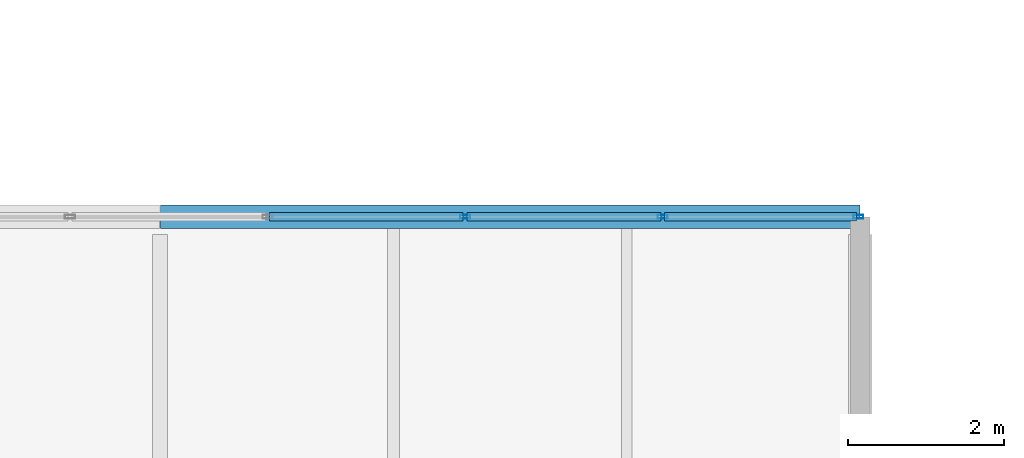
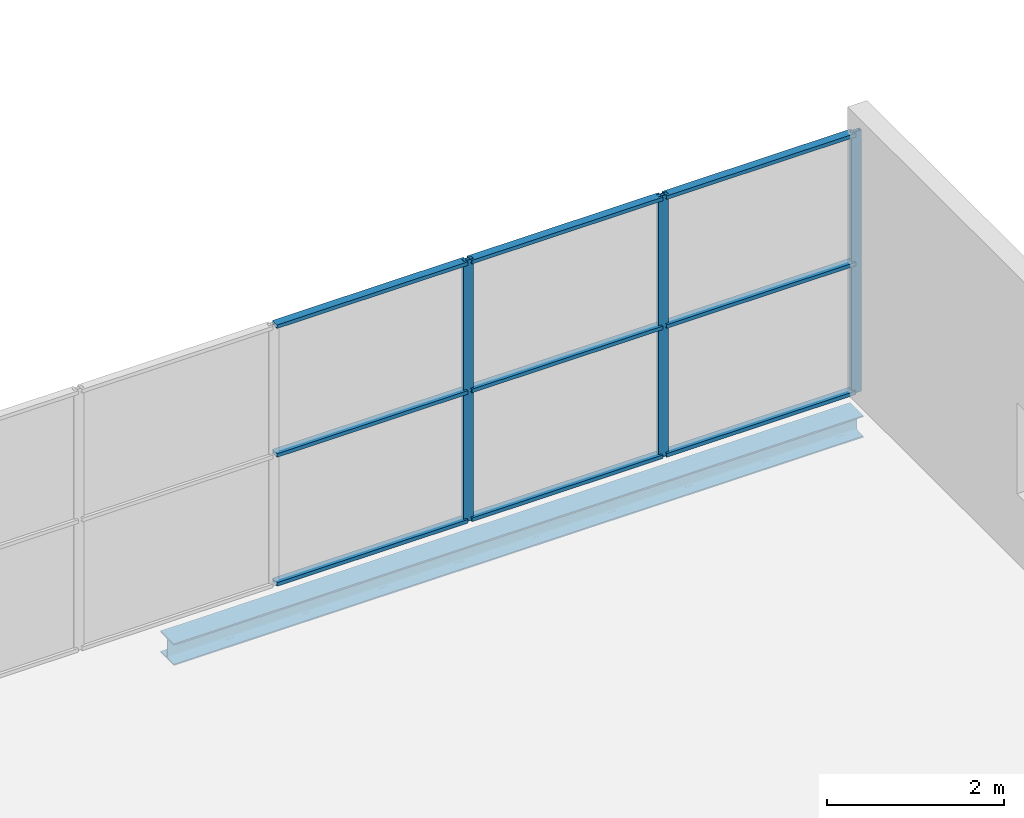
# One storey, part 47 of 59: 12 members, 1 beam, 1 element without a shape of its own.
"""IFC4 building model written with IfcOpenShell, lengths in metres."""

from ifc_helpers import new_model, si_unit, direction, frame, origin, origin_2d, place, context, subcontext, project, spatial, hollow_rectangle, i_section, extrude, material, layer, layer_set, material_profile, profile_set, type_object, element, aggregate, save


model = new_model("IFC4")

# Units and contexts
model_context = context("Model", 3, precision=1e-05, world=origin(), true_north=direction((0.0, 1.0)))
body_context = subcontext(model_context, "Body", "Model", "MODEL_VIEW")
ifc_project = project(units=[si_unit("LENGTHUNIT", "METRE"), si_unit("AREAUNIT", "SQUARE_METRE"), si_unit("VOLUMEUNIT", "CUBIC_METRE"), si_unit("PLANEANGLEUNIT", "RADIAN"), si_unit("MASSUNIT", "GRAM", prefix="KILO")], contexts=[model_context])

# Site, building, storey
site_placement = place(None, origin())
site = spatial("IfcSite", under=ifc_project, at=site_placement, CompositionType="ELEMENT")
building_placement = place(site_placement, origin())
building = spatial("IfcBuilding", under=site, at=building_placement, Name="Deido Ridge Mobility Hub", CompositionType="ELEMENT")
storey_placement = place(building_placement, frame((0.0, 0.0, 21.0)))
storey = spatial("IfcBuildingStorey", under=building, at=storey_placement, Name="L05", CompositionType="ELEMENT", Elevation=21.0)

# Curtain wall, members
ifc_material_1 = material(Name="Anodised aluminium EN AW-6063 T6", Category="aluminium")
ifc_layer = layer(ifc_material_1, 0.14404296875, Name="Anodised aluminium EN AW-6063 T6")
ifc_layer_set = layer_set([ifc_layer], Name="Anodised aluminium EN AW-6063 T6")
curtain_wall_type = type_object("IfcCurtainWallType", Name="CW-GS-2", PredefinedType="USERDEFINED", material=ifc_layer_set)
curtain_wall_placement = place(storey_placement, origin())
curtain_wall = element("IfcCurtainWall", 1, at=curtain_wall_placement, inside=storey, type_object=curtain_wall_type, Name="Unitised curtain wall GS2", ObjectType="GLAZED SCREEN", PredefinedType="USERDEFINED")
ifc_material_profile_1 = material_profile(ifc_material_1, hollow_rectangle(XDim=0.050048828125, YDim=0.1298828125, WallThickness=0.00390625, at=origin_2d()), Name="RHS 50x130x4")
ifc_profile_set_1 = profile_set([ifc_material_profile_1], Name="Anodised aluminium EN AW-6063 T6")
member_type_1 = type_object("IfcMemberType", Name="MEM-MUL-50X130", PredefinedType="MULLION", material=ifc_profile_set_1)
member_1_placement = place(storey_placement, frame((174.92138671875, 63.0, 0.0), z_axis=(0.0, 0.0, 1.0), x_axis=(0.0, 1.0, 0.0)))
member_1 = element("IfcMember", 2, at=member_1_placement, type_object=member_type_1, Name="GS2 mullion 13", PredefinedType="MULLION", context=body_context, shape_type="SweptSolid", body=[
    extrude(hollow_rectangle(XDim=0.050048828125, YDim=0.1298828125, WallThickness=0.00390625, at=origin_2d()), origin(), (0.0, 0.0, 1.0), 3.60009765625),
])
member_2_placement = place(storey_placement, frame((177.460693359375, 63.0, 0.0), z_axis=(0.0, 0.0, 1.0), x_axis=(0.0, 1.0, 0.0)))
member_2 = element("IfcMember", 3, at=member_2_placement, type_object=member_type_1, Name="GS2 mullion 14", PredefinedType="MULLION", context=body_context, shape_type="SweptSolid", body=[
    extrude(hollow_rectangle(XDim=0.050048828125, YDim=0.1298828125, WallThickness=0.00390625, at=origin_2d()), origin(), (0.0, 0.0, 1.0), 3.60009765625),
])
member_3_placement = place(storey_placement, frame((179.97509765625, 63.0, 0.0), z_axis=(0.0, 0.0, 1.0), x_axis=(0.0, 1.0, 0.0)))
member_3 = element("IfcMember", 4, at=member_3_placement, type_object=member_type_1, Name="GS2 mullion 15", PredefinedType="MULLION", context=body_context, shape_type="SweptSolid", body=[
    extrude(hollow_rectangle(XDim=0.050048828125, YDim=0.1298828125, WallThickness=0.00390625, at=origin_2d()), origin(), (0.0, 0.0, 1.0), 3.60009765625),
])
ifc_material_profile_2 = material_profile(ifc_material_1, hollow_rectangle(XDim=0.10498046875, YDim=0.050048828125, WallThickness=0.00390625, at=origin_2d()), Name="RHS 105x50x4")
ifc_profile_set_2 = profile_set([ifc_material_profile_2], Name="Anodised aluminium EN AW-6063 T6")
member_type_2 = type_object("IfcMemberType", Name="MEM-TRN-105X50", PredefinedType="USERDEFINED", material=ifc_profile_set_2)
member_4_placement = place(storey_placement, frame((172.4072265625, 63.0, 0.02490234375), z_axis=(1.0, 0.0, 0.0), x_axis=(0.0, 1.0, 0.0)))
member_4 = element("IfcMember", 5, at=member_4_placement, type_object=member_type_2, Name="GS2 transom 12.1", ObjectType="TRANSOM", PredefinedType="USERDEFINED", context=body_context, shape_type="SweptSolid", body=[
    extrude(hollow_rectangle(XDim=0.10498046875, YDim=0.050048828125, WallThickness=0.00390625, at=origin_2d()), origin(), (0.0, 0.0, 1.0), 2.4892578125),
])
member_5_placement = place(storey_placement, frame((172.4072265625, 63.0, 1.800048828125), z_axis=(1.0, 0.0, 0.0), x_axis=(0.0, 1.0, 0.0)))
member_5 = element("IfcMember", 6, at=member_5_placement, type_object=member_type_2, Name="GS2 transom 12.2", ObjectType="TRANSOM", PredefinedType="USERDEFINED", context=body_context, shape_type="SweptSolid", body=[
    extrude(hollow_rectangle(XDim=0.10498046875, YDim=0.050048828125, WallThickness=0.00390625, at=origin_2d()), origin(), (0.0, 0.0, 1.0), 2.4892578125),
])
member_6_placement = place(storey_placement, frame((172.4072265625, 63.0, 3.574951171875), z_axis=(1.0, 0.0, 0.0), x_axis=(0.0, 1.0, 0.0)))
member_6 = element("IfcMember", 7, at=member_6_placement, type_object=member_type_2, Name="GS2 transom 12.3", ObjectType="TRANSOM", PredefinedType="USERDEFINED", context=body_context, shape_type="SweptSolid", body=[
    extrude(hollow_rectangle(XDim=0.10498046875, YDim=0.050048828125, WallThickness=0.00390625, at=origin_2d()), origin(), (0.0, 0.0, 1.0), 2.4892578125),
])
member_7_placement = place(storey_placement, frame((174.946533203125, 63.0, 0.02490234375), z_axis=(1.0, 0.0, 0.0), x_axis=(0.0, 1.0, 0.0)))
member_7 = element("IfcMember", 8, at=member_7_placement, type_object=member_type_2, Name="GS2 transom 13.1", ObjectType="TRANSOM", PredefinedType="USERDEFINED", context=body_context, shape_type="SweptSolid", body=[
    extrude(hollow_rectangle(XDim=0.10498046875, YDim=0.050048828125, WallThickness=0.00390625, at=origin_2d()), origin(), (0.0, 0.0, 1.0), 2.4892578125),
])
member_8_placement = place(storey_placement, frame((174.946533203125, 63.0, 1.800048828125), z_axis=(1.0, 0.0, 0.0), x_axis=(0.0, 1.0, 0.0)))
member_8 = element("IfcMember", 9, at=member_8_placement, type_object=member_type_2, Name="GS2 transom 13.2", ObjectType="TRANSOM", PredefinedType="USERDEFINED", context=body_context, shape_type="SweptSolid", body=[
    extrude(hollow_rectangle(XDim=0.10498046875, YDim=0.050048828125, WallThickness=0.00390625, at=origin_2d()), origin(), (0.0, 0.0, 1.0), 2.4892578125),
])
member_9_placement = place(storey_placement, frame((174.946533203125, 63.0, 3.574951171875), z_axis=(1.0, 0.0, 0.0), x_axis=(0.0, 1.0, 0.0)))
member_9 = element("IfcMember", 10, at=member_9_placement, type_object=member_type_2, Name="GS2 transom 13.3", ObjectType="TRANSOM", PredefinedType="USERDEFINED", context=body_context, shape_type="SweptSolid", body=[
    extrude(hollow_rectangle(XDim=0.10498046875, YDim=0.050048828125, WallThickness=0.00390625, at=origin_2d()), origin(), (0.0, 0.0, 1.0), 2.4892578125),
])
member_10_placement = place(storey_placement, frame((177.485595703125, 63.0, 0.02490234375), z_axis=(1.0, 0.0, 0.0), x_axis=(0.0, 1.0, 0.0)))
member_10 = element("IfcMember", 11, at=member_10_placement, type_object=member_type_2, Name="GS2 transom 14.1", ObjectType="TRANSOM", PredefinedType="USERDEFINED", context=body_context, shape_type="SweptSolid", body=[
    extrude(hollow_rectangle(XDim=0.10498046875, YDim=0.050048828125, WallThickness=0.00390625, at=origin_2d()), origin(), (0.0, 0.0, 1.0), 2.46435546875),
])
member_11_placement = place(storey_placement, frame((177.485595703125, 63.0, 1.800048828125), z_axis=(1.0, 0.0, 0.0), x_axis=(0.0, 1.0, 0.0)))
member_11 = element("IfcMember", 12, at=member_11_placement, type_object=member_type_2, Name="GS2 transom 14.2", ObjectType="TRANSOM", PredefinedType="USERDEFINED", context=body_context, shape_type="SweptSolid", body=[
    extrude(hollow_rectangle(XDim=0.10498046875, YDim=0.050048828125, WallThickness=0.00390625, at=origin_2d()), origin(), (0.0, 0.0, 1.0), 2.46435546875),
])
member_12_placement = place(storey_placement, frame((177.485595703125, 63.0, 3.574951171875), z_axis=(1.0, 0.0, 0.0), x_axis=(0.0, 1.0, 0.0)))
member_12 = element("IfcMember", 13, at=member_12_placement, type_object=member_type_2, Name="GS2 transom 14.3", ObjectType="TRANSOM", PredefinedType="USERDEFINED", context=body_context, shape_type="SweptSolid", body=[
    extrude(hollow_rectangle(XDim=0.10498046875, YDim=0.050048828125, WallThickness=0.00390625, at=origin_2d()), origin(), (0.0, 0.0, 1.0), 2.46435546875),
])
aggregate(curtain_wall, [member_1, member_2, member_3, member_4, member_5, member_6, member_7, member_8, member_9, member_10, member_11, member_12])

# Beam
ifc_material_2 = material(Name="Steel S355J2 EN 10025-2", Category="steel")
ifc_material_profile_3 = material_profile(ifc_material_2, i_section(OverallWidth=0.300048828125, OverallDepth=0.300048828125, WebThickness=0.010986328125, FlangeThickness=0.01904296875, FilletRadius=0.027099609375, at=origin_2d()), Name="HEB 300")
ifc_profile_set_3 = profile_set([ifc_material_profile_3], Name="Steel S355J2 EN 10025-2")
beam_type = type_object("IfcBeamType", Name="SPD-HEB300", PredefinedType="SPANDREL", material=ifc_profile_set_3)
beam_placement = place(storey_placement, frame((171.007080078125, 63.0, -0.39501953125), z_axis=(1.0, 0.0, 0.0), x_axis=(0.0, 1.0, 0.0)))
element("IfcBeam", 14, at=beam_placement, inside=storey, type_object=beam_type, Name="Floor beam SP1", PredefinedType="SPANDREL", context=body_context, shape_type="SweptSolid", body=[
    extrude(i_section(OverallWidth=0.300048828125, OverallDepth=0.300048828125, WebThickness=0.010986328125, FlangeThickness=0.01904296875, FilletRadius=0.027099609375, at=origin_2d()), origin(), (0.0, 0.0, 1.0), 8.98583984375),
])

save(model, "model.ifc")
